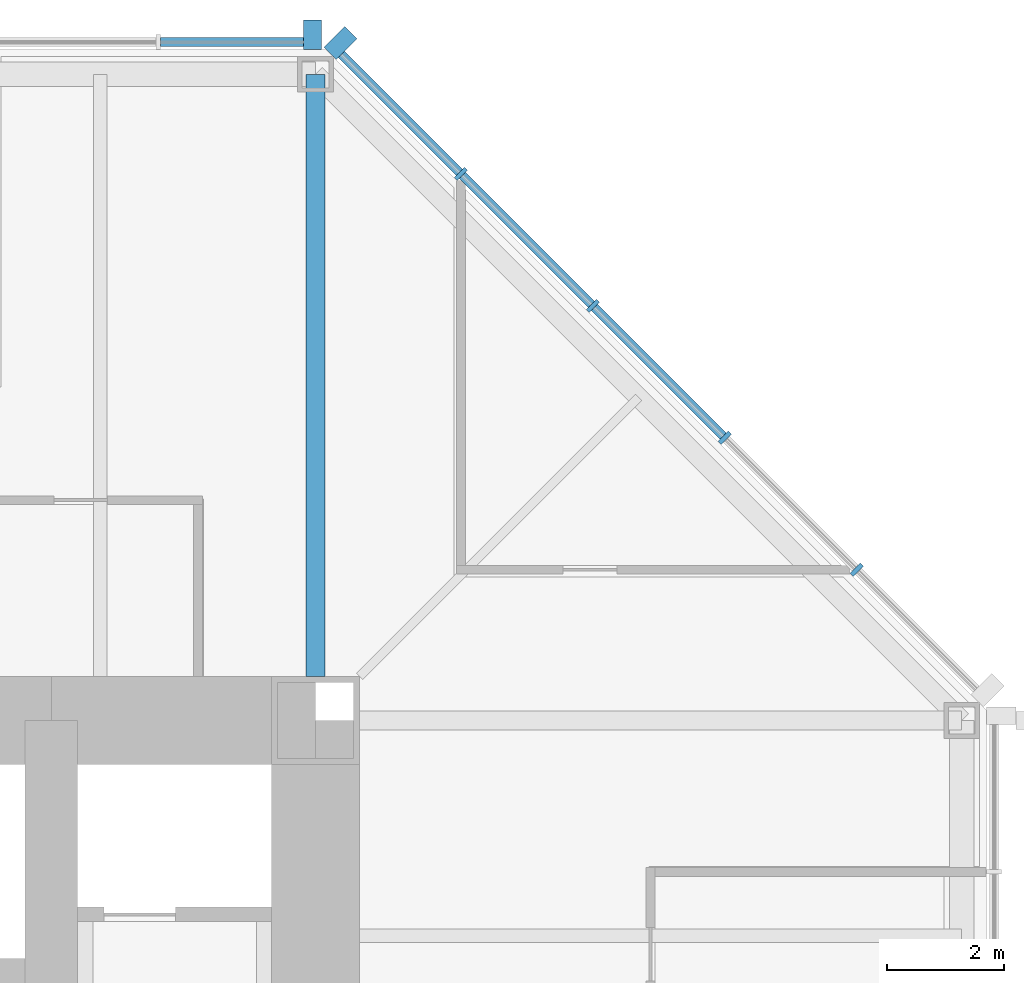
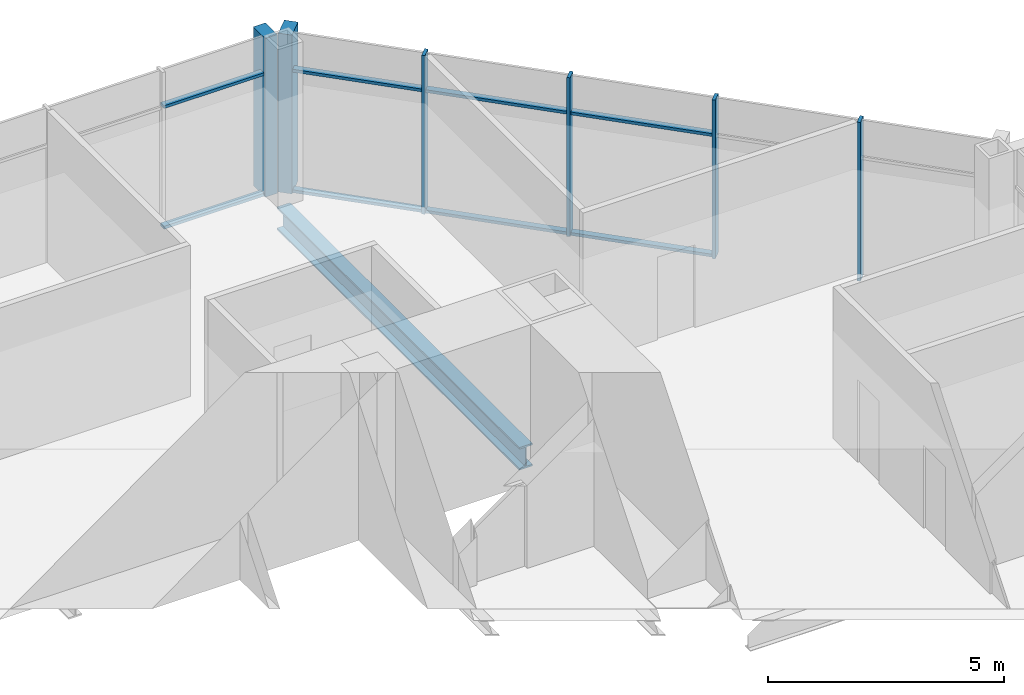
# One storey, part 6 of 12: 14 members, 1 beam, 2 elements without a shape of their own.
"""IFC4 building model written with IfcOpenShell, lengths in metres."""

from ifc_helpers import new_model, si_unit, direction, frame, origin, origin_2d, place, context, subcontext, project, spatial, rectangle, i_section, extrude, material, material_profile, profile_set, type_object, element, aggregate, save


model = new_model("IFC4")

# Units and contexts
model_context = context("Model", 3, precision=1e-05, world=origin(), true_north=direction((0.0, 1.0)))
body_context = subcontext(model_context, "Body", "Model", "MODEL_VIEW")
ifc_project = project(units=[si_unit("LENGTHUNIT", "METRE"), si_unit("AREAUNIT", "SQUARE_METRE"), si_unit("VOLUMEUNIT", "CUBIC_METRE"), si_unit("PLANEANGLEUNIT", "RADIAN"), si_unit("MASSUNIT", "GRAM", prefix="KILO")], contexts=[model_context])

# Site, building, storey
site_placement = place(None, origin())
site = spatial("IfcSite", under=ifc_project, at=site_placement, CompositionType="ELEMENT")
building_placement = place(site_placement, origin())
building = spatial("IfcBuilding", under=site, at=building_placement, Name="Trevanion Tower", CompositionType="ELEMENT")
storey_placement = place(building_placement, frame((0.0, 0.0, 174.60009765625)))
storey = spatial("IfcBuildingStorey", under=building, at=storey_placement, Name="L41", CompositionType="ELEMENT", Elevation=174.60009765625)

# Curtain wall, members
ifc_material_1 = material(Name="Aluminium and glass", Category="aluminium")
curtain_wall_type = type_object("IfcCurtainWallType", Name="CW2 curtain wall", PredefinedType="USERDEFINED", material=ifc_material_1)
curtain_wall_1_placement = place(storey_placement, origin())
curtain_wall_1 = element("IfcCurtainWall", 1, at=curtain_wall_1_placement, inside=storey, type_object=curtain_wall_type, Name="CW2 L41 1", ObjectType="UNITISED CURTAIN WALL", PredefinedType="USERDEFINED")
ifc_material_2 = material(Name="Aluminium extrusion, anodised bronze", Category="aluminium")
ifc_material_profile_1 = material_profile(ifc_material_2, rectangle(XDim=0.074951171875, YDim=0.25, at=origin_2d()), Name="CW2 mullion")
ifc_profile_set_1 = profile_set([ifc_material_profile_1], Name="Aluminium extrusion, anodised bronze")
member_type_1 = type_object("IfcMemberType", Name="CW2 mullion", PredefinedType="MULLION", material=ifc_profile_set_1)
member_1_placement = place(storey_placement, frame((20.2119140625, 13.56591796875, -0.190185546875), z_axis=(0.0, 0.0, 1.0), x_axis=(-0.707106781187, 0.707106781187, 0.0)))
member_1 = element("IfcMember", 2, at=member_1_placement, type_object=member_type_1, Name="CW2 mullion 2", PredefinedType="MULLION", context=body_context, shape_type="SweptSolid", body=[
    extrude(rectangle(XDim=0.074951171875, YDim=0.25, at=origin_2d()), origin(), (0.0, 0.0, 1.0), 4.10009765625),
])
member_2_placement = place(storey_placement, frame((17.966064453125, 15.811767578125, -0.190185546875), z_axis=(0.0, 0.0, 1.0), x_axis=(-0.707106781187, 0.707106781187, 0.0)))
member_2 = element("IfcMember", 3, at=member_2_placement, type_object=member_type_1, Name="CW2 mullion 3", PredefinedType="MULLION", context=body_context, shape_type="SweptSolid", body=[
    extrude(rectangle(XDim=0.074951171875, YDim=0.25, at=origin_2d()), origin(), (0.0, 0.0, 1.0), 4.10009765625),
])
member_3_placement = place(storey_placement, frame((15.719970703125, 18.057861328125, -0.190185546875), z_axis=(0.0, 0.0, 1.0), x_axis=(-0.707106781187, 0.707106781187, 0.0)))
member_3 = element("IfcMember", 4, at=member_3_placement, type_object=member_type_1, Name="CW2 mullion 4", PredefinedType="MULLION", context=body_context, shape_type="SweptSolid", body=[
    extrude(rectangle(XDim=0.074951171875, YDim=0.25, at=origin_2d()), origin(), (0.0, 0.0, 1.0), 4.10009765625),
])
member_4_placement = place(storey_placement, frame((13.473876953125, 20.303955078125, -0.190185546875), z_axis=(0.0, 0.0, 1.0), x_axis=(-0.707106781187, 0.707106781187, 0.0)))
member_4 = element("IfcMember", 5, at=member_4_placement, type_object=member_type_1, Name="CW2 mullion 5", PredefinedType="MULLION", context=body_context, shape_type="SweptSolid", body=[
    extrude(rectangle(XDim=0.074951171875, YDim=0.25, at=origin_2d()), origin(), (0.0, 0.0, 1.0), 4.10009765625),
])
ifc_material_3 = material(Name="Aluminium extrusion, anodised bronze", Category="aluminium")
ifc_material_profile_2 = material_profile(ifc_material_3, rectangle(XDim=0.300048828125, YDim=0.5, at=origin_2d()), Name="CW2 pier mullion")
ifc_profile_set_2 = profile_set([ifc_material_profile_2], Name="Aluminium extrusion, anodised bronze")
member_type_2 = type_object("IfcMemberType", Name="CW2 pier mullion", PredefinedType="MULLION", material=ifc_profile_set_2)
member_5_placement = place(storey_placement, frame((11.42236328125, 22.5322265625, -0.190185546875), z_axis=(0.0, 0.0, 1.0), x_axis=(-0.707106781187, 0.707106781187, 0.0)))
member_5 = element("IfcMember", 6, at=member_5_placement, type_object=member_type_2, Name="CW2 pier mullion 6", PredefinedType="MULLION", context=body_context, shape_type="SweptSolid", body=[
    extrude(rectangle(XDim=0.300048828125, YDim=0.5, at=origin_2d()), origin(), (0.0, 0.0, 1.0), 4.10009765625),
])

# Curtain wall, member
curtain_wall_2_placement = place(storey_placement, origin())
curtain_wall_2 = element("IfcCurtainWall", 7, at=curtain_wall_2_placement, inside=storey, type_object=curtain_wall_type, Name="CW2 L41 2", ObjectType="UNITISED CURTAIN WALL", PredefinedType="USERDEFINED")
member_6_placement = place(storey_placement, frame((10.94775390625, 22.675048828125, -0.190185546875), z_axis=(0.0, 0.0, 1.0), x_axis=(-1.0, 0.0, 0.0)))
member_6 = element("IfcMember", 8, at=member_6_placement, type_object=member_type_2, Name="CW2 pier mullion 1", PredefinedType="MULLION", context=body_context, shape_type="SweptSolid", body=[
    extrude(rectangle(XDim=0.300048828125, YDim=0.5, at=origin_2d()), origin(), (0.0, 0.0, 1.0), 4.10009765625),
])

# Member
ifc_material_4 = material(Name="Aluminium extrusion, anodised bronze", Category="aluminium")
ifc_material_profile_3 = material_profile(ifc_material_4, rectangle(XDim=0.14990234375, YDim=0.074951171875, at=origin_2d()), Name="CW2 transom")
ifc_profile_set_3 = profile_set([ifc_material_profile_3], Name="Aluminium extrusion, anodised bronze")
member_type_3 = type_object("IfcMemberType", Name="CW2 transom", PredefinedType="USERDEFINED", material=ifc_profile_set_3)
member_7_placement = place(storey_placement, frame((17.939453125, 15.83837890625, -0.152587890625), z_axis=(-0.707106781187, 0.707106781187, 0.0), x_axis=(-0.707106781187, -0.707106781187, 0.0)))
member_7 = element("IfcMember", 9, at=member_7_placement, type_object=member_type_3, Name="CW2 transom 3.1", ObjectType="TRANSOM", PredefinedType="USERDEFINED", context=body_context, shape_type="SweptSolid", body=[
    extrude(rectangle(XDim=0.14990234375, YDim=0.074951171875, at=origin_2d()), origin(), (0.0, 0.0, 1.0), 3.1015625),
])

member_8_placement = place(storey_placement, frame((17.939453125, 15.83837890625, 2.9599609375), z_axis=(-0.707106781187, 0.707106781187, 0.0), x_axis=(-0.707106781187, -0.707106781187, 0.0)))
member_8 = element("IfcMember", 10, at=member_8_placement, type_object=member_type_3, Name="CW2 transom 3.2", ObjectType="TRANSOM", PredefinedType="USERDEFINED", context=body_context, shape_type="SweptSolid", body=[
    extrude(rectangle(XDim=0.14990234375, YDim=0.074951171875, at=origin_2d()), origin(), (0.0, 0.0, 1.0), 3.1015625),
])

member_9_placement = place(storey_placement, frame((15.693359375, 18.08447265625, -0.152587890625), z_axis=(-0.707106781187, 0.707106781187, 0.0), x_axis=(-0.707106781187, -0.707106781187, 0.0)))
member_9 = element("IfcMember", 11, at=member_9_placement, type_object=member_type_3, Name="CW2 transom 4.1", ObjectType="TRANSOM", PredefinedType="USERDEFINED", context=body_context, shape_type="SweptSolid", body=[
    extrude(rectangle(XDim=0.14990234375, YDim=0.074951171875, at=origin_2d()), origin(), (0.0, 0.0, 1.0), 3.10107421875),
])

member_10_placement = place(storey_placement, frame((15.693359375, 18.08447265625, 2.9599609375), z_axis=(-0.707106781187, 0.707106781187, 0.0), x_axis=(-0.707106781187, -0.707106781187, 0.0)))
member_10 = element("IfcMember", 12, at=member_10_placement, type_object=member_type_3, Name="CW2 transom 4.2", ObjectType="TRANSOM", PredefinedType="USERDEFINED", context=body_context, shape_type="SweptSolid", body=[
    extrude(rectangle(XDim=0.14990234375, YDim=0.074951171875, at=origin_2d()), origin(), (0.0, 0.0, 1.0), 3.10107421875),
])

member_11_placement = place(storey_placement, frame((13.447509765625, 20.33056640625, -0.152587890625), z_axis=(-0.707149778163, 0.707063781595, 0.0), x_axis=(-0.707063781595, -0.707149778163, 0.0)))
member_11 = element("IfcMember", 13, at=member_11_placement, type_object=member_type_3, Name="CW2 transom 5.1", ObjectType="TRANSOM", PredefinedType="USERDEFINED", context=body_context, shape_type="SweptSolid", body=[
    extrude(rectangle(XDim=0.14990234375, YDim=0.074951171875, at=origin_2d()), origin(), (0.0, 0.0, 1.0), 2.8388671875),
])

member_12_placement = place(storey_placement, frame((13.447509765625, 20.33056640625, 2.9599609375), z_axis=(-0.707149778163, 0.707063781595, 0.0), x_axis=(-0.707063781595, -0.707149778163, 0.0)))
member_12 = element("IfcMember", 14, at=member_12_placement, type_object=member_type_3, Name="CW2 transom 5.2", ObjectType="TRANSOM", PredefinedType="USERDEFINED", context=body_context, shape_type="SweptSolid", body=[
    extrude(rectangle(XDim=0.14990234375, YDim=0.074951171875, at=origin_2d()), origin(), (0.0, 0.0, 1.0), 2.8388671875),
])

aggregate(curtain_wall_1, [member_1, member_2, member_3, member_4, member_5, member_7, member_8, member_9, member_10, member_11, member_12])

member_13_placement = place(storey_placement, frame((10.7978515625, 22.550048828125, -0.152587890625), z_axis=(-1.0, 0.0, 0.0), x_axis=(0.0, -1.0, 0.0)))
member_13 = element("IfcMember", 15, at=member_13_placement, type_object=member_type_3, Name="CW2 transom 1.1", ObjectType="TRANSOM", PredefinedType="USERDEFINED", context=body_context, shape_type="SweptSolid", body=[
    extrude(rectangle(XDim=0.14990234375, YDim=0.074951171875, at=origin_2d()), origin(), (0.0, 0.0, 1.0), 2.43701171875),
])

member_14_placement = place(storey_placement, frame((10.7978515625, 22.550048828125, 2.9599609375), z_axis=(-1.0, 0.0, 0.0), x_axis=(0.0, -1.0, 0.0)))
member_14 = element("IfcMember", 16, at=member_14_placement, type_object=member_type_3, Name="CW2 transom 1.2", ObjectType="TRANSOM", PredefinedType="USERDEFINED", context=body_context, shape_type="SweptSolid", body=[
    extrude(rectangle(XDim=0.14990234375, YDim=0.074951171875, at=origin_2d()), origin(), (0.0, 0.0, 1.0), 2.43701171875),
])

aggregate(curtain_wall_2, [member_6, member_13, member_14])

# Beam
ifc_material_5 = material(Name="Steel ASTM A992 Grade 50", Category="steel")
ifc_material_profile_4 = material_profile(ifc_material_5, i_section(OverallWidth=0.320068359375, OverallDepth=0.584228515625, WebThickness=0.023193359375, FlangeThickness=0.04150390625, at=origin_2d()), Name="W21X201")
ifc_profile_set_4 = profile_set([ifc_material_profile_4], Name="Steel ASTM A992 Grade 50")
beam_type = type_object("IfcBeamType", Name="G4 W21X201", PredefinedType="BEAM", material=ifc_profile_set_4)
beam_placement = place(storey_placement, frame((11.0, 11.75, -0.482177734375), z_axis=(0.0, 1.0, 0.0), x_axis=(-1.0, 0.0, 0.0)))
element("IfcBeam", 17, at=beam_placement, inside=storey, type_object=beam_type, Name="G4 L41", PredefinedType="BEAM", context=body_context, shape_type="SweptSolid", body=[
    extrude(i_section(OverallWidth=0.320068359375, OverallDepth=0.584228515625, WebThickness=0.023193359375, FlangeThickness=0.04150390625, at=origin_2d()), origin(), (0.0, 0.0, 1.0), 10.25),
])

save(model, "model.ifc")
